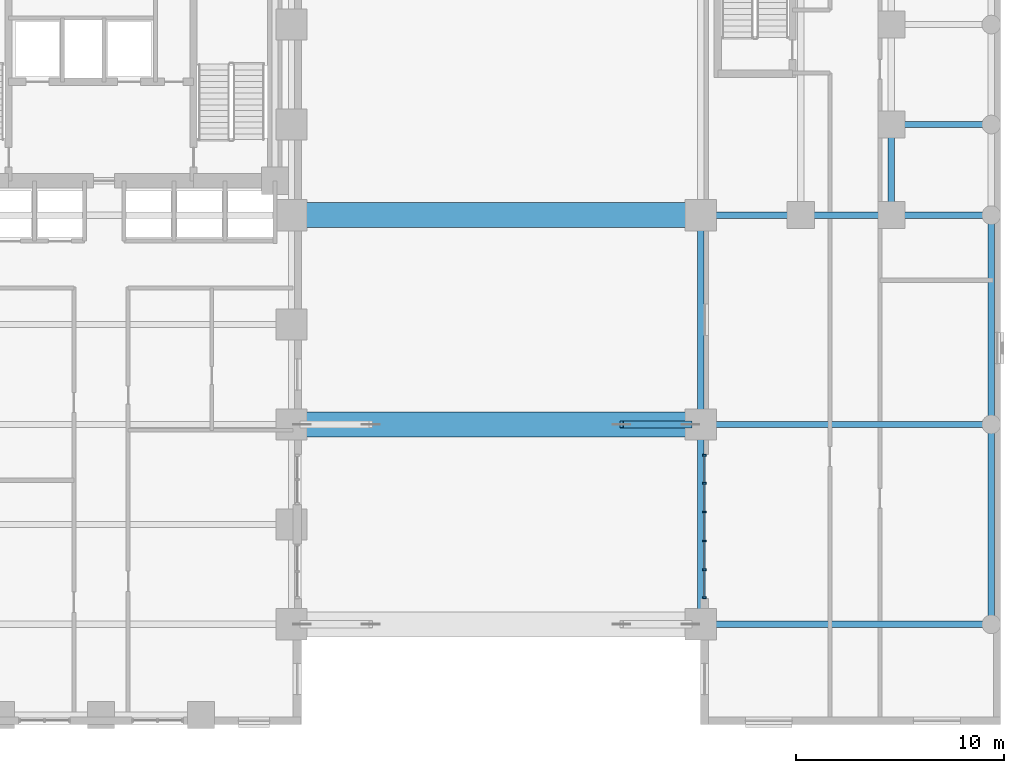
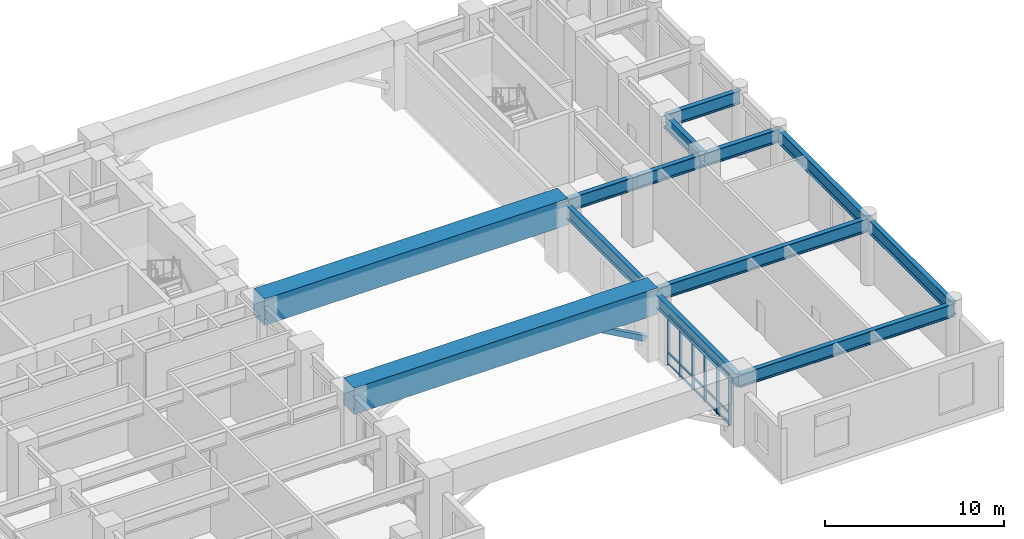
# One storey, part 4 of 12: 22 members, 13 beams, 1 element without a shape of its own.
"""IFC4 building model written with IfcOpenShell, lengths in metres."""

from ifc_helpers import new_model, si_unit, direction, frame, origin, origin_2d, place, context, subcontext, project, spatial, rectangle, hollow_rectangle, i_section, extrude, material, material_profile, profile_set, type_object, element, aggregate, save


model = new_model("IFC4")

# Units and contexts
model_context = context("Model", 3, precision=1e-05, world=origin(), true_north=direction((0.0, 1.0)))
body_context = subcontext(model_context, "Body", "Model", "MODEL_VIEW")
ifc_project = project(units=[si_unit("LENGTHUNIT", "METRE"), si_unit("AREAUNIT", "SQUARE_METRE"), si_unit("VOLUMEUNIT", "CUBIC_METRE"), si_unit("PLANEANGLEUNIT", "RADIAN"), si_unit("MASSUNIT", "GRAM", prefix="KILO")], contexts=[model_context])

# Site, building, storey
site_placement = place(None, origin())
site = spatial("IfcSite", under=ifc_project, at=site_placement, CompositionType="ELEMENT")
building_placement = place(site_placement, origin())
building = spatial("IfcBuilding", under=site, at=building_placement, Name="Orvandelia Arch Residences", CompositionType="ELEMENT")
storey_placement = place(building_placement, frame((0.0, 0.0, 10.0)))
storey = spatial("IfcBuildingStorey", under=building, at=storey_placement, Name="L02", CompositionType="ELEMENT", Elevation=10.0)

# Beams
ifc_material_1 = material(Name="Structural Steel HSA650 (650 MPa)", Category="steel")
ifc_material_profile_1 = material_profile(ifc_material_1, i_section(OverallWidth=0.300048828125, OverallDepth=0.89990234375, WebThickness=0.01611328125, FlangeThickness=0.028076171875, FilletRadius=0.028076171875, at=origin_2d()), Name="Structural Steel HSA650 (650 MPa)", Category="steel")
ifc_profile_set_1 = profile_set([ifc_material_profile_1], Name="Structural Steel HSA650 (650 MPa)")
beam_type_1 = type_object("IfcBeamType", Name="BM-GRD-H900", PredefinedType="BEAM", material=ifc_profile_set_1)
beam_1_placement = place(storey_placement, frame((43.199951171875, 9.60009765625, 3.949951171875), z_axis=(0.0, 1.0, 0.0), x_axis=(-1.0, 0.0, 0.0)))
element("IfcBeam", 1, at=beam_1_placement, inside=storey, type_object=beam_type_1, Name="Structural Frame Beam L02-NS-022", PredefinedType="BEAM", context=body_context, shape_type="SweptSolid", body=[
    extrude(i_section(OverallWidth=0.300048828125, OverallDepth=0.89990234375, WebThickness=0.01611328125, FlangeThickness=0.028076171875, FilletRadius=0.028076171875, at=origin_2d()), origin(), (0.0, 0.0, 1.0), 9.599853515625),
])
beam_2_placement = place(storey_placement, frame((43.199951171875, 19.199951171875, 3.949951171875), z_axis=(0.0, 1.0, 0.0), x_axis=(-1.0, 0.0, 0.0)))
element("IfcBeam", 2, at=beam_2_placement, inside=storey, type_object=beam_type_1, Name="Structural Frame Beam L02-NS-023", PredefinedType="BEAM", context=body_context, shape_type="SweptSolid", body=[
    extrude(i_section(OverallWidth=0.300048828125, OverallDepth=0.89990234375, WebThickness=0.01611328125, FlangeThickness=0.028076171875, FilletRadius=0.028076171875, at=origin_2d()), origin(), (0.0, 0.0, 1.0), 10.050048828125),
])
beam_3_placement = place(storey_placement, frame((52.35009765625, 29.25, 3.949951171875), z_axis=(0.0, 1.0, 0.0), x_axis=(-1.0, 0.0, 0.0)))
element("IfcBeam", 3, at=beam_3_placement, inside=storey, type_object=beam_type_1, Name="Structural Frame Beam L02-NS-026", PredefinedType="BEAM", context=body_context, shape_type="SweptSolid", body=[
    extrude(i_section(OverallWidth=0.300048828125, OverallDepth=0.89990234375, WebThickness=0.01611328125, FlangeThickness=0.028076171875, FilletRadius=0.028076171875, at=origin_2d()), origin(), (0.0, 0.0, 1.0), 4.35009765625),
])
beam_4_placement = place(storey_placement, frame((57.14990234375, 9.60009765625, 3.949951171875), z_axis=(0.0, 1.0, 0.0), x_axis=(-1.0, 0.0, 0.0)))
element("IfcBeam", 4, at=beam_4_placement, inside=storey, type_object=beam_type_1, Name="Structural Frame Beam L02-NS-030", PredefinedType="BEAM", context=body_context, shape_type="SweptSolid", body=[
    extrude(i_section(OverallWidth=0.300048828125, OverallDepth=0.89990234375, WebThickness=0.01611328125, FlangeThickness=0.028076171875, FilletRadius=0.028076171875, at=origin_2d()), origin(), (0.0, 0.0, 1.0), 9.599853515625),
])
beam_5_placement = place(storey_placement, frame((57.14990234375, 19.199951171875, 3.949951171875), z_axis=(0.0, 1.0, 0.0), x_axis=(-1.0, 0.0, 0.0)))
element("IfcBeam", 5, at=beam_5_placement, inside=storey, type_object=beam_type_1, Name="Structural Frame Beam L02-NS-031", PredefinedType="BEAM", context=body_context, shape_type="SweptSolid", body=[
    extrude(i_section(OverallWidth=0.300048828125, OverallDepth=0.89990234375, WebThickness=0.01611328125, FlangeThickness=0.028076171875, FilletRadius=0.028076171875, at=origin_2d()), origin(), (0.0, 0.0, 1.0), 10.050048828125),
])
for number, where, z_axis, x_axis, name in (
    (6, (43.199951171875, 9.60009765625, 3.949951171875), (1.0, 0.0, 0.0), (0.0, 1.0, 0.0), "Structural Frame Girder L02-EW-040"),
    (7, (43.199951171875, 19.199951171875, 3.949951171875), (1.0, 0.0, 0.0), (0.0, 1.0, 0.0), "Structural Frame Girder L02-EW-044"),
):
    element("IfcBeam", number, at=place(storey_placement, frame(where, z_axis=z_axis, x_axis=x_axis)), inside=storey, type_object=beam_type_1, Name=name, PredefinedType="BEAM", context=body_context, shape_type="SweptSolid", body=[
        extrude(i_section(OverallWidth=0.300048828125, OverallDepth=0.89990234375, WebThickness=0.01611328125, FlangeThickness=0.028076171875, FilletRadius=0.028076171875, at=origin_2d()), origin(), (0.0, 0.0, 1.0), 13.949951171875),
    ])
beam_6_placement = place(storey_placement, frame((43.199951171875, 29.25, 3.949951171875), z_axis=(1.0, 0.0, 0.0), x_axis=(0.0, 1.0, 0.0)))
element("IfcBeam", 8, at=beam_6_placement, inside=storey, type_object=beam_type_1, Name="Structural Frame Girder L02-EW-048", PredefinedType="BEAM", context=body_context, shape_type="SweptSolid", body=[
    extrude(i_section(OverallWidth=0.300048828125, OverallDepth=0.89990234375, WebThickness=0.01611328125, FlangeThickness=0.028076171875, FilletRadius=0.028076171875, at=origin_2d()), origin(), (0.0, 0.0, 1.0), 4.800048828125),
])
beam_7_placement = place(storey_placement, frame((48.0, 29.25, 3.949951171875), z_axis=(1.0, 0.0, 0.0), x_axis=(0.0, 1.0, 0.0)))
element("IfcBeam", 9, at=beam_7_placement, inside=storey, type_object=beam_type_1, Name="Structural Frame Girder L02-EW-049", PredefinedType="BEAM", context=body_context, shape_type="SweptSolid", body=[
    extrude(i_section(OverallWidth=0.300048828125, OverallDepth=0.89990234375, WebThickness=0.01611328125, FlangeThickness=0.028076171875, FilletRadius=0.028076171875, at=origin_2d()), origin(), (0.0, 0.0, 1.0), 4.35009765625),
])
for number, where, z_axis, x_axis, name in (
    (10, (52.35009765625, 29.25, 3.949951171875), (1.0, 0.0, 0.0), (0.0, 1.0, 0.0), "Structural Frame Girder L02-EW-050"),
    (11, (52.35009765625, 33.60009765625, 3.949951171875), (1.0, 0.0, 0.0), (0.0, 1.0, 0.0), "Structural Frame Girder L02-EW-053"),
):
    element("IfcBeam", number, at=place(storey_placement, frame(where, z_axis=z_axis, x_axis=x_axis)), inside=storey, type_object=beam_type_1, Name=name, PredefinedType="BEAM", context=body_context, shape_type="SweptSolid", body=[
        extrude(i_section(OverallWidth=0.300048828125, OverallDepth=0.89990234375, WebThickness=0.01611328125, FlangeThickness=0.028076171875, FilletRadius=0.028076171875, at=origin_2d()), origin(), (0.0, 0.0, 1.0), 4.7998046875),
    ])

# Curtain wall, members
ifc_material_2 = material(Name="Anodised Bronze Curtain Wall Assembly")
curtain_wall_type = type_object("IfcCurtainWallType", Name="CW-SYS2-ARCH", PredefinedType="NOTDEFINED", material=ifc_material_2)
curtain_wall_placement = place(storey_placement, origin())
curtain_wall = element("IfcCurtainWall", 12, at=curtain_wall_placement, inside=storey, type_object=curtain_wall_type, Name="Arch East Cheek Glazing L02 6", PredefinedType="NOTDEFINED")
ifc_material_3 = material(Name="Anodised Aluminium Alloy 6063-T6", Category="aluminium")
ifc_material_profile_2 = material_profile(ifc_material_3, rectangle(XDim=0.080078125, YDim=0.179931640625, at=origin_2d()), Name="Anodised Aluminium Alloy 6063-T6", Category="aluminium")
ifc_profile_set_2 = profile_set([ifc_material_profile_2], Name="Anodised Aluminium Alloy 6063-T6")
member_type_1 = type_object("IfcMemberType", Name="CW-MULLION-80x160", PredefinedType="MULLION", material=ifc_profile_set_2)
member_1_placement = place(storey_placement, frame((43.3798828125, 10.8798828125, 0.0), z_axis=(0.0, 0.0, 1.0), x_axis=(0.0, 1.0, 0.0)))
member_1 = element("IfcMember", 13, at=member_1_placement, type_object=member_type_1, Name="Curtain Wall Mullion CW-L02-6-M1", PredefinedType="MULLION", context=body_context, shape_type="SweptSolid", body=[
    extrude(rectangle(XDim=0.080078125, YDim=0.179931640625, at=origin_2d()), origin(), (0.0, 0.0, 1.0), 3.5),
])
member_2_placement = place(storey_placement, frame((43.3798828125, 12.22412109375, 0.0), z_axis=(0.0, 0.0, 1.0), x_axis=(0.0, 1.0, 0.0)))
member_2 = element("IfcMember", 14, at=member_2_placement, type_object=member_type_1, Name="Curtain Wall Mullion CW-L02-6-M2", PredefinedType="MULLION", context=body_context, shape_type="SweptSolid", body=[
    extrude(rectangle(XDim=0.080078125, YDim=0.179931640625, at=origin_2d()), origin(), (0.0, 0.0, 1.0), 3.5),
])
member_3_placement = place(storey_placement, frame((43.3798828125, 13.60791015625, 0.0), z_axis=(0.0, 0.0, 1.0), x_axis=(0.0, 1.0, 0.0)))
member_3 = element("IfcMember", 15, at=member_3_placement, type_object=member_type_1, Name="Curtain Wall Mullion CW-L02-6-M3", PredefinedType="MULLION", context=body_context, shape_type="SweptSolid", body=[
    extrude(rectangle(XDim=0.080078125, YDim=0.179931640625, at=origin_2d()), origin(), (0.0, 0.0, 1.0), 3.5),
])
member_4_placement = place(storey_placement, frame((43.3798828125, 14.991943359375, 0.0), z_axis=(0.0, 0.0, 1.0), x_axis=(0.0, 1.0, 0.0)))
member_4 = element("IfcMember", 16, at=member_4_placement, type_object=member_type_1, Name="Curtain Wall Mullion CW-L02-6-M4", PredefinedType="MULLION", context=body_context, shape_type="SweptSolid", body=[
    extrude(rectangle(XDim=0.080078125, YDim=0.179931640625, at=origin_2d()), origin(), (0.0, 0.0, 1.0), 3.5),
])
member_5_placement = place(storey_placement, frame((43.3798828125, 16.3759765625, 0.0), z_axis=(0.0, 0.0, 1.0), x_axis=(0.0, 1.0, 0.0)))
member_5 = element("IfcMember", 17, at=member_5_placement, type_object=member_type_1, Name="Curtain Wall Mullion CW-L02-6-M5", PredefinedType="MULLION", context=body_context, shape_type="SweptSolid", body=[
    extrude(rectangle(XDim=0.080078125, YDim=0.179931640625, at=origin_2d()), origin(), (0.0, 0.0, 1.0), 3.5),
])
member_6_placement = place(storey_placement, frame((43.3798828125, 17.719970703125, 0.0), z_axis=(0.0, 0.0, 1.0), x_axis=(0.0, 1.0, 0.0)))
member_6 = element("IfcMember", 18, at=member_6_placement, type_object=member_type_1, Name="Curtain Wall Mullion CW-L02-6-M6", PredefinedType="MULLION", context=body_context, shape_type="SweptSolid", body=[
    extrude(rectangle(XDim=0.080078125, YDim=0.179931640625, at=origin_2d()), origin(), (0.0, 0.0, 1.0), 3.5),
])
ifc_material_profile_3 = material_profile(ifc_material_3, rectangle(XDim=0.080078125, YDim=0.139892578125, at=origin_2d()), Name="Anodised Aluminium Alloy 6063-T6", Category="aluminium")
ifc_profile_set_3 = profile_set([ifc_material_profile_3], Name="Anodised Aluminium Alloy 6063-T6")
member_type_2 = type_object("IfcMemberType", Name="CW-TRANSOM-80x140", PredefinedType="USERDEFINED", material=ifc_profile_set_3)
member_7_placement = place(storey_placement, frame((43.3798828125, 10.905029296875, 0.070068359375), z_axis=(0.0, 1.0, 0.0), x_axis=(-1.0, 0.0, 0.0)))
member_7 = element("IfcMember", 19, at=member_7_placement, type_object=member_type_2, Name="Curtain Wall Transom CW-L02-6-T1-1", ObjectType="TRANSOM", PredefinedType="USERDEFINED", context=body_context, shape_type="SweptSolid", body=[
    extrude(rectangle(XDim=0.080078125, YDim=0.139892578125, at=origin_2d()), origin(), (0.0, 0.0, 1.0), 1.2939453125),
])
member_8_placement = place(storey_placement, frame((43.3798828125, 10.905029296875, 0.840087890625), z_axis=(0.0, 1.0, 0.0), x_axis=(-1.0, 0.0, 0.0)))
member_8 = element("IfcMember", 20, at=member_8_placement, type_object=member_type_2, Name="Curtain Wall Transom CW-L02-6-T1-2", ObjectType="TRANSOM", PredefinedType="USERDEFINED", context=body_context, shape_type="SweptSolid", body=[
    extrude(rectangle(XDim=0.080078125, YDim=0.139892578125, at=origin_2d()), origin(), (0.0, 0.0, 1.0), 1.2939453125),
])
member_9_placement = place(storey_placement, frame((43.3798828125, 10.905029296875, 3.429931640625), z_axis=(0.0, 1.0, 0.0), x_axis=(-1.0, 0.0, 0.0)))
member_9 = element("IfcMember", 21, at=member_9_placement, type_object=member_type_2, Name="Curtain Wall Transom CW-L02-6-T1-3", ObjectType="TRANSOM", PredefinedType="USERDEFINED", context=body_context, shape_type="SweptSolid", body=[
    extrude(rectangle(XDim=0.080078125, YDim=0.139892578125, at=origin_2d()), origin(), (0.0, 0.0, 1.0), 1.2939453125),
])
member_10_placement = place(storey_placement, frame((43.3798828125, 12.2490234375, 0.070068359375), z_axis=(0.0, 1.0, 0.0), x_axis=(-1.0, 0.0, 0.0)))
member_10 = element("IfcMember", 22, at=member_10_placement, type_object=member_type_2, Name="Curtain Wall Transom CW-L02-6-T2-1", ObjectType="TRANSOM", PredefinedType="USERDEFINED", context=body_context, shape_type="SweptSolid", body=[
    extrude(rectangle(XDim=0.080078125, YDim=0.139892578125, at=origin_2d()), origin(), (0.0, 0.0, 1.0), 1.333984375),
])
member_11_placement = place(storey_placement, frame((43.3798828125, 12.2490234375, 0.840087890625), z_axis=(0.0, 1.0, 0.0), x_axis=(-1.0, 0.0, 0.0)))
member_11 = element("IfcMember", 23, at=member_11_placement, type_object=member_type_2, Name="Curtain Wall Transom CW-L02-6-T2-2", ObjectType="TRANSOM", PredefinedType="USERDEFINED", context=body_context, shape_type="SweptSolid", body=[
    extrude(rectangle(XDim=0.080078125, YDim=0.139892578125, at=origin_2d()), origin(), (0.0, 0.0, 1.0), 1.333984375),
])
member_12_placement = place(storey_placement, frame((43.3798828125, 12.2490234375, 3.429931640625), z_axis=(0.0, 1.0, 0.0), x_axis=(-1.0, 0.0, 0.0)))
member_12 = element("IfcMember", 24, at=member_12_placement, type_object=member_type_2, Name="Curtain Wall Transom CW-L02-6-T2-3", ObjectType="TRANSOM", PredefinedType="USERDEFINED", context=body_context, shape_type="SweptSolid", body=[
    extrude(rectangle(XDim=0.080078125, YDim=0.139892578125, at=origin_2d()), origin(), (0.0, 0.0, 1.0), 1.333984375),
])
member_13_placement = place(storey_placement, frame((43.3798828125, 13.633056640625, 0.070068359375), z_axis=(0.0, 1.0, 0.0), x_axis=(-1.0, 0.0, 0.0)))
member_13 = element("IfcMember", 25, at=member_13_placement, type_object=member_type_2, Name="Curtain Wall Transom CW-L02-6-T3-1", ObjectType="TRANSOM", PredefinedType="USERDEFINED", context=body_context, shape_type="SweptSolid", body=[
    extrude(rectangle(XDim=0.080078125, YDim=0.139892578125, at=origin_2d()), origin(), (0.0, 0.0, 1.0), 1.333984375),
])
member_14_placement = place(storey_placement, frame((43.3798828125, 13.633056640625, 0.840087890625), z_axis=(0.0, 1.0, 0.0), x_axis=(-1.0, 0.0, 0.0)))
member_14 = element("IfcMember", 26, at=member_14_placement, type_object=member_type_2, Name="Curtain Wall Transom CW-L02-6-T3-2", ObjectType="TRANSOM", PredefinedType="USERDEFINED", context=body_context, shape_type="SweptSolid", body=[
    extrude(rectangle(XDim=0.080078125, YDim=0.139892578125, at=origin_2d()), origin(), (0.0, 0.0, 1.0), 1.333984375),
])
member_15_placement = place(storey_placement, frame((43.3798828125, 13.633056640625, 3.429931640625), z_axis=(0.0, 1.0, 0.0), x_axis=(-1.0, 0.0, 0.0)))
member_15 = element("IfcMember", 27, at=member_15_placement, type_object=member_type_2, Name="Curtain Wall Transom CW-L02-6-T3-3", ObjectType="TRANSOM", PredefinedType="USERDEFINED", context=body_context, shape_type="SweptSolid", body=[
    extrude(rectangle(XDim=0.080078125, YDim=0.139892578125, at=origin_2d()), origin(), (0.0, 0.0, 1.0), 1.333984375),
])
member_16_placement = place(storey_placement, frame((43.3798828125, 15.01708984375, 0.070068359375), z_axis=(0.0, 1.0, 0.0), x_axis=(-1.0, 0.0, 0.0)))
member_16 = element("IfcMember", 28, at=member_16_placement, type_object=member_type_2, Name="Curtain Wall Transom CW-L02-6-T4-1", ObjectType="TRANSOM", PredefinedType="USERDEFINED", context=body_context, shape_type="SweptSolid", body=[
    extrude(rectangle(XDim=0.080078125, YDim=0.139892578125, at=origin_2d()), origin(), (0.0, 0.0, 1.0), 1.333984375),
])
member_17_placement = place(storey_placement, frame((43.3798828125, 15.01708984375, 0.840087890625), z_axis=(0.0, 1.0, 0.0), x_axis=(-1.0, 0.0, 0.0)))
member_17 = element("IfcMember", 29, at=member_17_placement, type_object=member_type_2, Name="Curtain Wall Transom CW-L02-6-T4-2", ObjectType="TRANSOM", PredefinedType="USERDEFINED", context=body_context, shape_type="SweptSolid", body=[
    extrude(rectangle(XDim=0.080078125, YDim=0.139892578125, at=origin_2d()), origin(), (0.0, 0.0, 1.0), 1.333984375),
])
member_18_placement = place(storey_placement, frame((43.3798828125, 15.01708984375, 3.429931640625), z_axis=(0.0, 1.0, 0.0), x_axis=(-1.0, 0.0, 0.0)))
member_18 = element("IfcMember", 30, at=member_18_placement, type_object=member_type_2, Name="Curtain Wall Transom CW-L02-6-T4-3", ObjectType="TRANSOM", PredefinedType="USERDEFINED", context=body_context, shape_type="SweptSolid", body=[
    extrude(rectangle(XDim=0.080078125, YDim=0.139892578125, at=origin_2d()), origin(), (0.0, 0.0, 1.0), 1.333984375),
])
member_19_placement = place(storey_placement, frame((43.3798828125, 16.40087890625, 0.070068359375), z_axis=(0.0, 1.0, 0.0), x_axis=(-1.0, 0.0, 0.0)))
member_19 = element("IfcMember", 31, at=member_19_placement, type_object=member_type_2, Name="Curtain Wall Transom CW-L02-6-T5-1", ObjectType="TRANSOM", PredefinedType="USERDEFINED", context=body_context, shape_type="SweptSolid", body=[
    extrude(rectangle(XDim=0.080078125, YDim=0.139892578125, at=origin_2d()), origin(), (0.0, 0.0, 1.0), 1.294189453125),
])
member_20_placement = place(storey_placement, frame((43.3798828125, 16.40087890625, 0.840087890625), z_axis=(0.0, 1.0, 0.0), x_axis=(-1.0, 0.0, 0.0)))
member_20 = element("IfcMember", 32, at=member_20_placement, type_object=member_type_2, Name="Curtain Wall Transom CW-L02-6-T5-2", ObjectType="TRANSOM", PredefinedType="USERDEFINED", context=body_context, shape_type="SweptSolid", body=[
    extrude(rectangle(XDim=0.080078125, YDim=0.139892578125, at=origin_2d()), origin(), (0.0, 0.0, 1.0), 1.294189453125),
])
member_21_placement = place(storey_placement, frame((43.3798828125, 16.40087890625, 3.429931640625), z_axis=(0.0, 1.0, 0.0), x_axis=(-1.0, 0.0, 0.0)))
member_21 = element("IfcMember", 33, at=member_21_placement, type_object=member_type_2, Name="Curtain Wall Transom CW-L02-6-T5-3", ObjectType="TRANSOM", PredefinedType="USERDEFINED", context=body_context, shape_type="SweptSolid", body=[
    extrude(rectangle(XDim=0.080078125, YDim=0.139892578125, at=origin_2d()), origin(), (0.0, 0.0, 1.0), 1.294189453125),
])
aggregate(curtain_wall, [member_1, member_2, member_3, member_4, member_5, member_6, member_7, member_8, member_9, member_10, member_11, member_12, member_13, member_14, member_15, member_16, member_17, member_18, member_19, member_20, member_21])

# Member
ifc_material_4 = material(Name="Structural Steel SM355 (355 MPa)", Category="steel")
ifc_material_profile_4 = material_profile(ifc_material_4, hollow_rectangle(XDim=0.35009765625, YDim=0.35009765625, WallThickness=0.01904296875, at=origin_2d()), Name="Structural Steel SM355 (355 MPa)", Category="steel")
ifc_profile_set_4 = profile_set([ifc_material_profile_4], Name="Structural Steel SM355 (355 MPa)")
member_type_3 = type_object("IfcMemberType", Name="MBR-ARCH-RIB", PredefinedType="STRUT", material=ifc_profile_set_4)
member_22_placement = place(storey_placement, frame((42.699951171875, 19.199951171875, 1.199951171875), z_axis=(-0.872272628353, 0.0, 0.489019899213), x_axis=(0.0, -1.0, 0.0)))
element("IfcMember", 34, at=member_22_placement, inside=storey, type_object=member_type_3, Name="Giant Street Arch East Springer Haunch MID", PredefinedType="STRUT", context=body_context, shape_type="SweptSolid", body=[
    extrude(hollow_rectangle(XDim=0.35009765625, YDim=0.35009765625, WallThickness=0.01904296875, at=origin_2d()), origin(), (0.0, 0.0, 1.0), 3.783203125),
])

# Beams
ifc_material_5 = material(Name="Concrete C80/95", Category="concrete")
ifc_material_profile_5 = material_profile(ifc_material_5, rectangle(XDim=1.199951171875, YDim=1.800048828125, at=origin_2d()), Name="Concrete C80/95", Category="concrete")
ifc_profile_set_5 = profile_set([ifc_material_profile_5], Name="Concrete C80/95")
beam_type_2 = type_object("IfcBeamType", Name="TG-ARCH-1200x1800", PredefinedType="USERDEFINED", material=ifc_profile_set_5)
for number, where, z_axis, x_axis, name in (
    (35, (23.550048828125, 19.199951171875, 3.89990234375), (1.0, 0.0, 0.0), (0.0, 1.0, 0.0), "Arch Coupled Transfer Girder L02"),
    (36, (23.550048828125, 29.25, 3.89990234375), (1.0, 0.0, 0.0), (0.0, 1.0, 0.0), "Arch Coupled Transfer Girder L02"),
):
    element("IfcBeam", number, at=place(storey_placement, frame(where, z_axis=z_axis, x_axis=x_axis)), inside=storey, type_object=beam_type_2, Name=name, ObjectType="TRANSFER GIRDER", PredefinedType="USERDEFINED", context=body_context, shape_type="SweptSolid", body=[
        extrude(rectangle(XDim=1.199951171875, YDim=1.800048828125, at=origin_2d()), origin(), (0.0, 0.0, 1.0), 19.64990234375),
    ])

save(model, "model.ifc")
